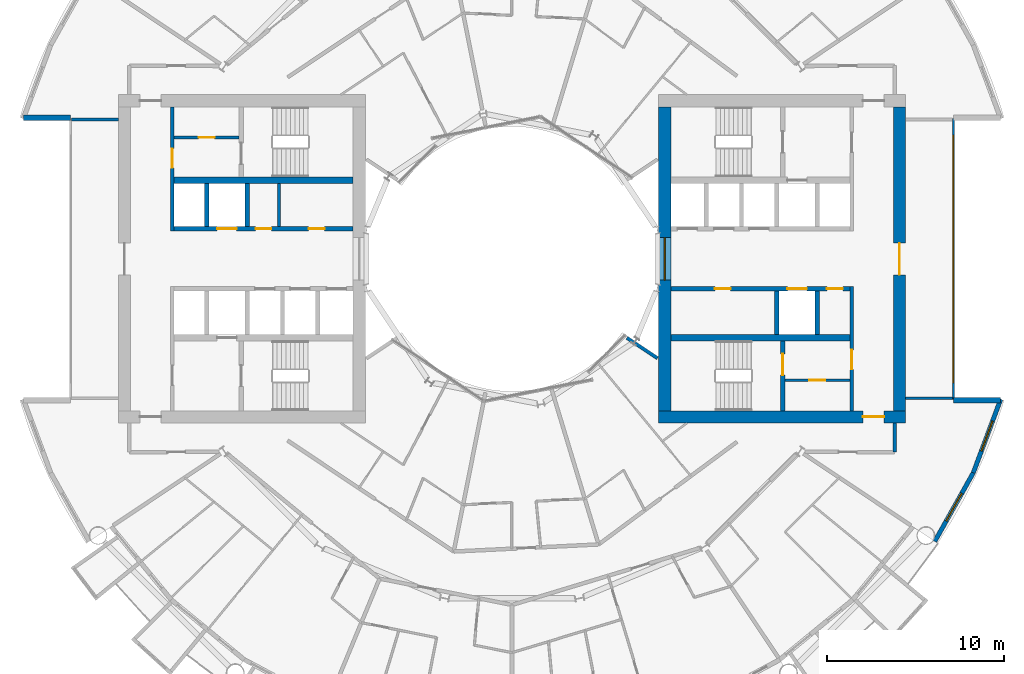
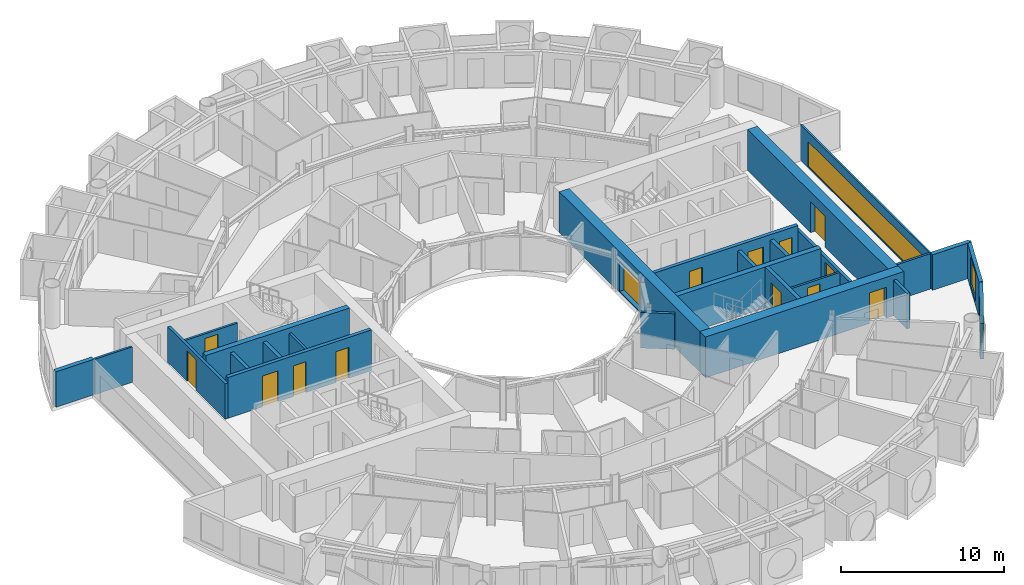
# One storey, part 17 of 25: 26 walls, 13 doors, 4 windows, 17 openings.
"""IFC4 building model written with IfcOpenShell, lengths in metres."""

import ifcopenshell
import ifcopenshell.guid

model = None  # the IFC model being written
_history = None  # IfcOwnerHistory: only IFC2X3 demands one
_inside = {}  # id of a spatial element -> (the spatial element, [elements in it])
_under = {}  # id of a project, library or spatial element -> (it, [spatial elements below it])
_declared = {}  # id of a project -> (the project, [libraries it declares])
_typed = {}  # id of a type object -> (the type object, [elements of that type])
_made_of = {}  # id of a material, layer set ... -> (it, [elements and type objects made of it])


def new_model(schema):
    """Start an empty IFC model of exactly this schema.

    Asked for "IFC4X3", IfcOpenShell would pick the latest addendum, in which some entities
    have other attributes; the version numbers below select the first issue.
    IFC2X3 requires an IfcOwnerHistory on every rooted entity: one is made here for all.
    """
    global model, _history
    if schema == "IFC4X3":
        model = ifcopenshell.file(schema_version=(4, 3, 0, 0))
    else:
        model = ifcopenshell.file(schema=schema)
    _inside.clear()
    _under.clear()
    _declared.clear()
    _typed.clear()
    _made_of.clear()
    _history = None
    if model.schema == "IFC2X3":
        org = make("IfcOrganization", Name="unknown")
        user = make(
            "IfcPersonAndOrganization",
            ThePerson=make("IfcPerson", FamilyName="unknown"),
            TheOrganization=org,
        )
        app = make(
            "IfcApplication",
            ApplicationDeveloper=org,
            Version="unknown",
            ApplicationFullName="unknown",
            ApplicationIdentifier="unknown",
        )
        _history = make(
            "IfcOwnerHistory",
            OwningUser=user,
            OwningApplication=app,
            ChangeAction="ADDED",
            CreationDate=0,
        )
    return model


def make(cls, **values):
    """One entity of the class cls with the attributes given. An attribute that is None is left unset."""
    return model.create_entity(
        cls, **{name: value for name, value in values.items() if value is not None}
    )


def rooted(cls, **values):
    """An entity with a GlobalId (a new one), such as an element, a storey or a relation."""
    return make(cls, GlobalId=ifcopenshell.guid.new(), OwnerHistory=_history, **values)


def si_unit(unit_type, name, prefix=None):
    """IfcSIUnit, for example si_unit("LENGTHUNIT", "METRE", prefix="MILLI")."""
    return make("IfcSIUnit", UnitType=unit_type, Prefix=prefix, Name=name)


def assignment(units):
    """IfcUnitAssignment: the units of a project."""
    return None if units is None else make("IfcUnitAssignment", Units=units)


def point(xyz):
    """IfcCartesianPoint."""
    return None if xyz is None else make("IfcCartesianPoint", Coordinates=xyz)


def direction(xyz):
    """IfcDirection."""
    return None if xyz is None else make("IfcDirection", DirectionRatios=xyz)


def frame(location, z_axis=None, x_axis=None):
    """IfcAxis2Placement3D, a coordinate frame: its origin and axes. An axis left out is left unset."""
    return make(
        "IfcAxis2Placement3D",
        Location=point(location),
        Axis=direction(z_axis),
        RefDirection=direction(x_axis),
    )


def frame_2d(location, x_axis=None):
    """IfcAxis2Placement2D, a coordinate frame in the plane: its origin and x axis."""
    return make(
        "IfcAxis2Placement2D", Location=point(location), RefDirection=direction(x_axis)
    )


def origin():
    """The frame at (0, 0, 0) with its axes left unset."""
    return frame((0.0, 0.0, 0.0))


def place(relative_to, where):
    """IfcLocalPlacement: puts the frame where relative to a parent placement (None: the world)."""
    return make(
        "IfcLocalPlacement", PlacementRelTo=relative_to, RelativePlacement=where
    )


def context(
    kind, dimensions, precision=None, world=None, true_north=None, identifier=None
):
    """IfcGeometricRepresentationContext, for example the 3D "Model" context."""
    return make(
        "IfcGeometricRepresentationContext",
        ContextIdentifier=identifier,
        ContextType=kind,
        CoordinateSpaceDimension=dimensions,
        Precision=precision,
        WorldCoordinateSystem=world,
        TrueNorth=true_north,
    )


def subcontext(parent, identifier, kind, view, scale=None):
    """IfcGeometricRepresentationSubContext, for example "Body" below "Model"."""
    return make(
        "IfcGeometricRepresentationSubContext",
        ContextIdentifier=identifier,
        ContextType=kind,
        ParentContext=parent,
        TargetScale=scale,
        TargetView=view,
    )


def project(units=None, contexts=None):
    """IfcProject with its units and contexts."""
    return rooted(
        "IfcProject",
        Name="project",
        RepresentationContexts=contexts,
        UnitsInContext=assignment(units),
    )


def spatial(cls, under=None, at=None, **own):
    """A site, building, storey or space (cls), placed at a placement, below another one or the project."""
    s = rooted(cls, ObjectPlacement=at, **own)
    if under is not None:
        _under.setdefault(under.id(), (under, []))[1].append(s)
    return s


def profile(cls, at=None, kind="AREA", **sizes):
    """A parametric profile (cls). Its sizes go by their IFC names, for example OverallWidth=200.0."""
    return make(cls, ProfileType=kind, Position=at, **sizes)


def rectangle(**sizes):
    """IfcRectangleProfileDef."""
    return profile("IfcRectangleProfileDef", **sizes)


def extrude(swept, where, along, depth):
    """IfcExtrudedAreaSolid: the profile swept, set in the frame where, extruded along a direction by depth."""
    return make(
        "IfcExtrudedAreaSolid",
        SweptArea=swept,
        Position=where,
        ExtrudedDirection=direction(along),
        Depth=depth,
    )


def shape(context_of_items, identifier, shape_type, items):
    """IfcShapeRepresentation: the items that make up one representation, for example the "Body"."""
    return make(
        "IfcShapeRepresentation",
        ContextOfItems=context_of_items,
        RepresentationIdentifier=identifier,
        RepresentationType=shape_type,
        Items=items,
    )


def material(Name=None, Category=None):
    """IfcMaterial."""
    return make("IfcMaterial", Name=Name, Category=Category)


def layer(
    of_material, thickness, ventilated=None, Name=None, Category=None, Priority=None
):
    """IfcMaterialLayer: one layer of a wall or slab, of a material (None: an air gap)."""
    return make(
        "IfcMaterialLayer",
        Material=of_material,
        LayerThickness=thickness,
        IsVentilated=ventilated,
        Name=Name,
        Category=Category,
        Priority=Priority,
    )


def layer_set(layers, Name=None):
    """IfcMaterialLayerSet."""
    return make("IfcMaterialLayerSet", MaterialLayers=layers, LayerSetName=Name)


def made_of(thing, what):
    """Note that an element or type object is made of a material, layer set ...; save() writes the relation."""
    if what is not None:
        _made_of.setdefault(what.id(), (what, []))[1].append(thing)
    return thing


def type_object(cls, material=None, **own):
    """A type object (cls), such as IfcWallType, which elements share."""
    return made_of(rooted(cls, **own), material)


def element(
    cls,
    number,
    at=None,
    inside=None,
    cuts=None,
    type_object=None,
    material=None,
    context=None,
    identifier="Body",
    shape_type=None,
    held_by="IfcProductDefinitionShape",
    body=None,
    shapes=None,
    **own,
):
    """One element of the class cls, such as IfcWall. Its Tag is "e" and its number.

    at: its placement. inside: the storey or other place that contains it. cuts: it is an
    opening in that element (IfcRelVoidsElement). A single representation is given by context,
    identifier, shape_type and body (its items); several are given by shapes. held_by: the class
    of the entity that holds the representations. save() writes the other relations.
    """
    e = rooted(cls, Tag="e%d" % number, ObjectPlacement=at, **own)
    if body is not None:
        shapes = [shape(context, identifier, shape_type, body)]
    if shapes is not None:
        e.Representation = make(held_by, Representations=shapes)
    if inside is not None:
        _inside.setdefault(inside.id(), (inside, []))[1].append(e)
    if cuts is not None:
        rooted(
            "IfcRelVoidsElement", RelatingBuildingElement=cuts, RelatedOpeningElement=e
        )
    if type_object is not None:
        _typed.setdefault(type_object.id(), (type_object, []))[1].append(e)
    return made_of(e, material)


def fill(opening, filler):
    """IfcRelFillsElement: the door or window that sits in an opening."""
    return rooted(
        "IfcRelFillsElement",
        RelatingOpeningElement=opening,
        RelatedBuildingElement=filler,
    )


def aggregate(whole, parts):
    """IfcRelAggregates: a whole, such as a stair, and the parts it consists of."""
    return rooted("IfcRelAggregates", RelatingObject=whole, RelatedObjects=parts)


def save(model, path):
    """Write the relations noted so far, then the file.

    IfcRelAggregates (storeys below a building ...), IfcRelContainedInSpatialStructure (elements
    in a storey), IfcRelDefinesByType, IfcRelAssociatesMaterial and IfcRelDeclares: one each for
    every whole, place, type object, material and project.
    """
    for whole, parts in _under.values():
        aggregate(whole, parts)
    for where, things in _inside.values():
        rooted(
            "IfcRelContainedInSpatialStructure",
            RelatedElements=things,
            RelatingStructure=where,
        )
    for kind, things in _typed.values():
        rooted("IfcRelDefinesByType", RelatedObjects=things, RelatingType=kind)
    for what, things in _made_of.values():
        rooted("IfcRelAssociatesMaterial", RelatedObjects=things, RelatingMaterial=what)
    for by, libraries in _declared.values():
        rooted("IfcRelDeclares", RelatingContext=by, RelatedDefinitions=libraries)
    model.write(path)


model = new_model("IFC4")

# Units and contexts
model_context = context("Model", 3, precision=1e-05, world=origin(), true_north=direction((0.0, 1.0)))
body_context = subcontext(model_context, "Body", "Model", "MODEL_VIEW")
ifc_project = project(units=[si_unit("LENGTHUNIT", "METRE"), si_unit("AREAUNIT", "SQUARE_METRE"), si_unit("VOLUMEUNIT", "CUBIC_METRE"), si_unit("PLANEANGLEUNIT", "RADIAN"), si_unit("MASSUNIT", "GRAM", prefix="KILO")], contexts=[model_context])

# Site, building, storey
site_placement = place(None, origin())
site = spatial("IfcSite", under=ifc_project, at=site_placement, CompositionType="ELEMENT")
building_placement = place(site_placement, origin())
building = spatial("IfcBuilding", under=site, at=building_placement, Name="Maasbend Ring Residences", CompositionType="ELEMENT")
storey_placement = place(building_placement, frame((0.0, 0.0, 94.10009765625)))
storey = spatial("IfcBuildingStorey", under=building, at=storey_placement, Name="L27", CompositionType="ELEMENT", Elevation=94.10009765625)

# Wall, openings, doors
ifc_material_1 = material(Name="Concrete C70/85", Category="concrete")
ifc_layer_1 = layer(ifc_material_1, 0.25)
ifc_layer_set_1 = layer_set([ifc_layer_1], Name="Concrete C70/85")
wall_type_1 = type_object("IfcWallType", Name="CORE WALL 250 C70/85", PredefinedType="SHEAR", material=ifc_layer_set_1)
wall_1_placement = place(storey_placement, frame((19.14990234375, -1.699951171875, 0.0), z_axis=(0.0, 0.0, 1.0), x_axis=(-1.0, 0.0, 0.0)))
wall_1 = element("IfcWall", 1, at=wall_1_placement, inside=storey, type_object=wall_type_1, Name="L27 core E wall SPS", PredefinedType="SHEAR", context=body_context, shape_type="SweptSolid", body=[
    extrude(rectangle(XDim=10.14990234375, YDim=0.25, at=frame_2d((5.074951171875, 0.0))), origin(), (0.0, 0.0, 1.0), 3.0498046875),
])
opening_1_placement = place(wall_1_placement, frame((2.449951171875, 0.0, 0.0)))
opening_1 = element("IfcOpeningElement", 2, at=opening_1_placement, cuts=wall_1, Name="Opening LD-E2705", PredefinedType="OPENING", context=body_context, shape_type="SweptSolid", body=[
    extrude(rectangle(XDim=1.10009765625, YDim=2.300048828125, at=frame_2d((0.550048828125, 1.14990234375))), frame((0.0, 0.135009765625, 0.0), z_axis=(0.0, -1.0, 0.0), x_axis=(1.0, 0.0, 0.0)), (0.0, 0.0, 1.0), 0.27001953125),
])
opening_2_placement = place(wall_1_placement, frame((6.762451171875, 0.0, 0.0)))
opening_2 = element("IfcOpeningElement", 3, at=opening_2_placement, cuts=wall_1, Name="Opening D-E2706", PredefinedType="OPENING", context=body_context, shape_type="SweptSolid", body=[
    extrude(rectangle(XDim=0.89990234375, YDim=2.300048828125, at=frame_2d((0.449951171875, 1.14990234375))), frame((0.0, 0.135009765625, 0.0), z_axis=(0.0, -1.0, 0.0), x_axis=(1.0, 0.0, 0.0)), (0.0, 0.0, 1.0), 0.27001953125),
])
opening_3_placement = place(wall_1_placement, frame((0.41259765625, 0.0, 0.0)))
opening_3 = element("IfcOpeningElement", 4, at=opening_3_placement, cuts=wall_1, Name="Opening D-E2707", PredefinedType="OPENING", context=body_context, shape_type="SweptSolid", body=[
    extrude(rectangle(XDim=0.89990234375, YDim=2.300048828125, at=frame_2d((0.449951171875, 1.14990234375))), frame((0.0, 0.135009765625, 0.0), z_axis=(0.0, -1.0, 0.0), x_axis=(1.0, 0.0, 0.0)), (0.0, 0.0, 1.0), 0.27001953125),
])
ifc_material_2 = material(Name="Stainless steel 316", Category="steel")
door_type_1 = type_object("IfcDoorType", Name="LANDING DOOR 1100 X 2300 FD60", OperationType="DOUBLE_DOOR_SLIDING", PredefinedType="DOOR", material=ifc_material_2)
door_1_placement = place(opening_1_placement, origin())
door_1 = element("IfcDoor", 5, at=door_1_placement, inside=storey, type_object=door_type_1, Name="Landing door SV-E L27", OperationType="DOUBLE_DOOR_SLIDING", OverallHeight=2.300048828125, OverallWidth=1.10009765625, PredefinedType="DOOR", context=body_context, shape_type="SweptSolid", body=[
    extrude(rectangle(XDim=1.10009765625, YDim=2.300048828125, at=frame_2d((0.550048828125, 1.14990234375))), frame((0.0, 0.02490234375, 0.0), z_axis=(0.0, -1.0, 0.0), x_axis=(1.0, 0.0, 0.0)), (0.0, 0.0, 1.0), 0.050048828125),
])
fill(opening_1, door_1)
ifc_material_3 = material(Name="Steel, powder coated", Category="steel")
door_type_2 = type_object("IfcDoorType", Name="ROOM DOOR 900 X 2300 FD30S", OperationType="NOTDEFINED", PredefinedType="DOOR", material=ifc_material_3)
door_2_placement = place(opening_2_placement, origin())
door_2 = element("IfcDoor", 6, at=door_2_placement, inside=storey, type_object=door_type_2, Name="Room door L27", OperationType="SINGLE_SWING_LEFT", OverallHeight=2.300048828125, OverallWidth=0.89990234375, PredefinedType="DOOR", context=body_context, shape_type="SweptSolid", body=[
    extrude(rectangle(XDim=0.89990234375, YDim=2.300048828125, at=frame_2d((0.449951171875, 1.14990234375))), frame((0.0, 0.02490234375, 0.0), z_axis=(0.0, -1.0, 0.0), x_axis=(1.0, 0.0, 0.0)), (0.0, 0.0, 1.0), 0.050048828125),
])
fill(opening_2, door_2)
door_3_placement = place(opening_3_placement, origin())
door_3 = element("IfcDoor", 7, at=door_3_placement, inside=storey, type_object=door_type_2, Name="Room door L27", OperationType="SINGLE_SWING_RIGHT", OverallHeight=2.300048828125, OverallWidth=0.89990234375, PredefinedType="DOOR", context=body_context, shape_type="SweptSolid", body=[
    extrude(rectangle(XDim=0.89990234375, YDim=2.300048828125, at=frame_2d((0.449951171875, 1.14990234375))), frame((0.0, 0.02490234375, 0.0), z_axis=(0.0, -1.0, 0.0), x_axis=(1.0, 0.0, 0.0)), (0.0, 0.0, 1.0), 0.050048828125),
])
fill(opening_3, door_3)

# Wall, opening, door
wall_2_placement = place(storey_placement, frame((15.324951171875, -8.60009765625, 0.0), z_axis=(0.0, 0.0, 1.0), x_axis=(0.0, 1.0, 0.0)))
wall_2 = element("IfcWall", 8, at=wall_2_placement, inside=storey, type_object=wall_type_1, Name="L27 core E wall STES", PredefinedType="SHEAR", context=body_context, shape_type="SweptSolid", body=[
    extrude(rectangle(XDim=3.9501953125, YDim=0.25, at=frame_2d((1.97509765625, 0.0))), origin(), (0.0, 0.0, 1.0), 3.0498046875),
])
opening_4_placement = place(wall_2_placement, frame((2.02490234375, 0.0, 0.0)))
opening_4 = element("IfcOpeningElement", 9, at=opening_4_placement, cuts=wall_2, Name="Opening D-E2710", PredefinedType="OPENING", context=body_context, shape_type="SweptSolid", body=[
    extrude(rectangle(XDim=1.199951171875, YDim=2.300048828125, at=frame_2d((0.60009765625, 1.14990234375))), frame((0.0, 0.135009765625, 0.0), z_axis=(0.0, -1.0, 0.0), x_axis=(1.0, 0.0, 0.0)), (0.0, 0.0, 1.0), 0.27001953125),
])
ifc_material_4 = material(Name="Steel, powder coated", Category="steel")
door_type_3 = type_object("IfcDoorType", Name="STAIR DOOR 1200 X 2300 FD60", OperationType="NOTDEFINED", PredefinedType="DOOR", material=ifc_material_4)
door_4_placement = place(opening_4_placement, origin())
door_4 = element("IfcDoor", 10, at=door_4_placement, inside=storey, type_object=door_type_3, Name="Stair door ST-E L27", OperationType="SINGLE_SWING_LEFT", OverallHeight=2.300048828125, OverallWidth=1.199951171875, PredefinedType="DOOR", context=body_context, shape_type="SweptSolid", body=[
    extrude(rectangle(XDim=1.199951171875, YDim=2.300048828125, at=frame_2d((0.60009765625, 1.14990234375))), frame((0.0, 0.02490234375, 0.0), z_axis=(0.0, -1.0, 0.0), x_axis=(1.0, 0.0, 0.0)), (0.0, 0.0, 1.0), 0.050048828125),
])
fill(opening_4, door_4)

# Wall, openings, doors
wall_3_placement = place(storey_placement, frame((-19.14990234375, 1.699951171875, 0.0), z_axis=(0.0, 0.0, 1.0), x_axis=(1.0, 0.0, 0.0)))
wall_3 = element("IfcWall", 11, at=wall_3_placement, inside=storey, type_object=wall_type_1, Name="L27 core W wall SPS", PredefinedType="SHEAR", context=body_context, shape_type="SweptSolid", body=[
    extrude(rectangle(XDim=10.14990234375, YDim=0.25, at=frame_2d((5.074951171875, 0.0))), origin(), (0.0, 0.0, 1.0), 3.0498046875),
])
opening_5_placement = place(wall_3_placement, frame((2.449951171875, 0.0, 0.0)))
opening_5 = element("IfcOpeningElement", 12, at=opening_5_placement, cuts=wall_3, Name="Opening LD-W2705", PredefinedType="OPENING", context=body_context, shape_type="SweptSolid", body=[
    extrude(rectangle(XDim=1.10009765625, YDim=2.300048828125, at=frame_2d((0.550048828125, 1.14990234375))), frame((0.0, 0.135009765625, 0.0), z_axis=(0.0, -1.0, 0.0), x_axis=(1.0, 0.0, 0.0)), (0.0, 0.0, 1.0), 0.27001953125),
])
opening_6_placement = place(wall_3_placement, frame((7.637451171875, 0.0, 0.0)))
opening_6 = element("IfcOpeningElement", 13, at=opening_6_placement, cuts=wall_3, Name="Opening D-W2706", PredefinedType="OPENING", context=body_context, shape_type="SweptSolid", body=[
    extrude(rectangle(XDim=0.89990234375, YDim=2.300048828125, at=frame_2d((0.449951171875, 1.14990234375))), frame((0.0, 0.135009765625, 0.0), z_axis=(0.0, -1.0, 0.0), x_axis=(1.0, 0.0, 0.0)), (0.0, 0.0, 1.0), 0.27001953125),
])
opening_7_placement = place(wall_3_placement, frame((4.625, 0.0, 0.0)))
opening_7 = element("IfcOpeningElement", 14, at=opening_7_placement, cuts=wall_3, Name="Opening D-W2707", PredefinedType="OPENING", context=body_context, shape_type="SweptSolid", body=[
    extrude(rectangle(XDim=0.89990234375, YDim=2.300048828125, at=frame_2d((0.449951171875, 1.14990234375))), frame((0.0, 0.135009765625, 0.0), z_axis=(0.0, -1.0, 0.0), x_axis=(1.0, 0.0, 0.0)), (0.0, 0.0, 1.0), 0.27001953125),
])
door_5_placement = place(opening_5_placement, origin())
door_5 = element("IfcDoor", 15, at=door_5_placement, inside=storey, type_object=door_type_1, Name="Landing door SV-W L27", OperationType="DOUBLE_DOOR_SLIDING", OverallHeight=2.300048828125, OverallWidth=1.10009765625, PredefinedType="DOOR", context=body_context, shape_type="SweptSolid", body=[
    extrude(rectangle(XDim=1.10009765625, YDim=2.300048828125, at=frame_2d((0.550048828125, 1.14990234375))), frame((0.0, 0.02490234375, 0.0), z_axis=(0.0, -1.0, 0.0), x_axis=(1.0, 0.0, 0.0)), (0.0, 0.0, 1.0), 0.050048828125),
])
fill(opening_5, door_5)
door_6_placement = place(opening_6_placement, origin())
door_6 = element("IfcDoor", 16, at=door_6_placement, inside=storey, type_object=door_type_2, Name="Room door L27", OperationType="SINGLE_SWING_LEFT", OverallHeight=2.300048828125, OverallWidth=0.89990234375, PredefinedType="DOOR", context=body_context, shape_type="SweptSolid", body=[
    extrude(rectangle(XDim=0.89990234375, YDim=2.300048828125, at=frame_2d((0.449951171875, 1.14990234375))), frame((0.0, 0.02490234375, 0.0), z_axis=(0.0, -1.0, 0.0), x_axis=(1.0, 0.0, 0.0)), (0.0, 0.0, 1.0), 0.050048828125),
])
fill(opening_6, door_6)
door_7_placement = place(opening_7_placement, origin())
door_7 = element("IfcDoor", 17, at=door_7_placement, inside=storey, type_object=door_type_2, Name="Room door L27", OperationType="SINGLE_SWING_LEFT", OverallHeight=2.300048828125, OverallWidth=0.89990234375, PredefinedType="DOOR", context=body_context, shape_type="SweptSolid", body=[
    extrude(rectangle(XDim=0.89990234375, YDim=2.300048828125, at=frame_2d((0.449951171875, 1.14990234375))), frame((0.0, 0.02490234375, 0.0), z_axis=(0.0, -1.0, 0.0), x_axis=(1.0, 0.0, 0.0)), (0.0, 0.0, 1.0), 0.050048828125),
])
fill(opening_7, door_7)

# Walls
ifc_material_5 = material(Name="Concrete C70/85", Category="concrete")
ifc_layer_2 = layer(ifc_material_5, 0.375)
ifc_layer_set_2 = layer_set([ifc_layer_2], Name="Concrete C70/85")
wall_type_2 = type_object("IfcWallType", Name="CORE WALL 375 C70/85", PredefinedType="SHEAR", material=ifc_layer_set_2)
for number, where, z_axis, x_axis, name in (
    (18, (9.0, -4.46240234375, 0.0), (0.0, 0.0, 1.0), (1.0, 0.0, 0.0), "L27 core E wall BS"),
    (19, (-9.0, 4.46240234375, 0.0), (0.0, 0.0, 1.0), (-1.0, 0.0, 0.0), "L27 core W wall BS"),
):
    element("IfcWall", number, at=place(storey_placement, frame(where, z_axis=z_axis, x_axis=x_axis)), inside=storey, type_object=wall_type_2, Name=name, PredefinedType="SHEAR", context=body_context, shape_type="SweptSolid", body=[
        extrude(rectangle(XDim=10.14990234375, YDim=0.375, at=frame_2d((5.074951171875, 0.0))), origin(), (0.0, 0.0, 1.0), 3.0498046875),
    ])

# Wall, opening, door
ifc_material_6 = material(Name="Concrete C70/85", Category="concrete")
ifc_layer_3 = layer(ifc_material_6, 0.699951171875)
ifc_layer_set_3 = layer_set([ifc_layer_3], Name="Concrete C70/85")
wall_type_3 = type_object("IfcWallType", Name="CORE WALL 700 C70/85", PredefinedType="SHEAR", material=ifc_layer_set_3)
wall_4_placement = place(storey_placement, frame((8.300048828125, -8.949951171875, 0.0), z_axis=(0.0, 0.0, 1.0), x_axis=(1.0, 0.0, 0.0)))
wall_4 = element("IfcWall", 20, at=wall_4_placement, inside=storey, type_object=wall_type_3, Name="L27 core E wall PS", PredefinedType="SHEAR", context=body_context, shape_type="SweptSolid", body=[
    extrude(rectangle(XDim=14.0, YDim=0.699951171875, at=frame_2d((7.0, 0.0))), origin(), (0.0, 0.0, 1.0), 3.0498046875),
])
opening_8_placement = place(wall_4_placement, frame((11.574951171875, 0.0, 0.0)))
opening_8 = element("IfcOpeningElement", 21, at=opening_8_placement, cuts=wall_4, Name="Opening D-E2714", PredefinedType="OPENING", context=body_context, shape_type="SweptSolid", body=[
    extrude(rectangle(XDim=1.199951171875, YDim=2.300048828125, at=frame_2d((0.60009765625, 1.14990234375))), frame((0.0, 0.35986328125, 0.0), z_axis=(0.0, -1.0, 0.0), x_axis=(1.0, 0.0, 0.0)), (0.0, 0.0, 1.0), 0.719970703125),
])
ifc_material_7 = material(Name="Steel, powder coated", Category="steel")
door_type_4 = type_object("IfcDoorType", Name="CORRIDOR DOOR 1200 X 2300 FD30S", OperationType="NOTDEFINED", PredefinedType="DOOR", material=ifc_material_7)
door_8_placement = place(opening_8_placement, origin())
door_8 = element("IfcDoor", 22, at=door_8_placement, inside=storey, type_object=door_type_4, Name="Corridor door L27", OperationType="SINGLE_SWING_LEFT", OverallHeight=2.300048828125, OverallWidth=1.199951171875, PredefinedType="DOOR", context=body_context, shape_type="SweptSolid", body=[
    extrude(rectangle(XDim=1.199951171875, YDim=2.300048828125, at=frame_2d((0.60009765625, 1.14990234375))), frame((0.0, 0.02490234375, 0.0), z_axis=(0.0, -1.0, 0.0), x_axis=(1.0, 0.0, 0.0)), (0.0, 0.0, 1.0), 0.050048828125),
])
fill(opening_8, door_8)

wall_5_placement = place(storey_placement, frame((21.949951171875, 8.60009765625, 0.0), z_axis=(0.0, 0.0, 1.0), x_axis=(0.0, -1.0, 0.0)))
wall_5 = element("IfcWall", 23, at=wall_5_placement, inside=storey, type_object=wall_type_3, Name="L27 core E wall POUT", PredefinedType="SHEAR", context=body_context, shape_type="SweptSolid", body=[
    extrude(rectangle(XDim=17.2001953125, YDim=0.699951171875, at=frame_2d((8.60009765625, 0.0))), origin(), (0.0, 0.0, 1.0), 3.0498046875),
])
opening_9_placement = place(wall_5_placement, frame((7.699951171875, 0.0, 0.0)))
opening_9 = element("IfcOpeningElement", 24, at=opening_9_placement, cuts=wall_5, Name="Opening D-E2715", PredefinedType="OPENING", context=body_context, shape_type="SweptSolid", body=[
    extrude(rectangle(XDim=1.800048828125, YDim=2.300048828125, at=frame_2d((0.89990234375, 1.14990234375))), frame((0.0, 0.35986328125, 0.0), z_axis=(0.0, -1.0, 0.0), x_axis=(1.0, 0.0, 0.0)), (0.0, 0.0, 1.0), 0.719970703125),
])
ifc_material_8 = material(Name="Aluminium frame, clear glass", Category="aluminium")
door_type_5 = type_object("IfcDoorType", Name="ENTRANCE DOOR 1800 X 2300 FD60", OperationType="NOTDEFINED", PredefinedType="DOOR", material=ifc_material_8)
door_9_placement = place(opening_9_placement, origin())
door_9 = element("IfcDoor", 25, at=door_9_placement, inside=storey, type_object=door_type_5, Name="Lobby glazed door L27", OperationType="SINGLE_SWING_LEFT", OverallHeight=2.300048828125, OverallWidth=1.800048828125, PredefinedType="DOOR", context=body_context, shape_type="SweptSolid", body=[
    extrude(rectangle(XDim=1.800048828125, YDim=2.300048828125, at=frame_2d((0.89990234375, 1.14990234375))), frame((0.0, 0.02490234375, 0.0), z_axis=(0.0, -1.0, 0.0), x_axis=(1.0, 0.0, 0.0)), (0.0, 0.0, 1.0), 0.050048828125),
])
fill(opening_9, door_9)

# Wall, opening, window
wall_6_placement = place(storey_placement, frame((8.64990234375, -8.60009765625, 0.0), z_axis=(0.0, 0.0, 1.0), x_axis=(0.0, 1.0, 0.0)))
wall_6 = element("IfcWall", 26, at=wall_6_placement, inside=storey, type_object=wall_type_3, Name="L27 core E wall PIN", PredefinedType="SHEAR", context=body_context, shape_type="SweptSolid", body=[
    extrude(rectangle(XDim=17.2001953125, YDim=0.699951171875, at=frame_2d((8.60009765625, 0.0))), origin(), (0.0, 0.0, 1.0), 3.0498046875),
])
opening_10_placement = place(wall_6_placement, frame((7.39990234375, 0.0, 0.10009765625)))
opening_10 = element("IfcOpeningElement", 27, at=opening_10_placement, cuts=wall_6, Name="Opening W-E2701", PredefinedType="OPENING", context=body_context, shape_type="SweptSolid", body=[
    extrude(rectangle(XDim=2.39990234375, YDim=2.199951171875, at=frame_2d((1.199951171875, 1.10009765625))), frame((0.0, 0.35986328125, 0.0), z_axis=(0.0, -1.0, 0.0), x_axis=(1.0, 0.0, 0.0)), (0.0, 0.0, 1.0), 0.719970703125),
])
ifc_material_9 = material(Name="Aluminium frame and clear glass", Category="aluminium")
window_type_1 = type_object("IfcWindowType", Name="FIXED WINDOW 2400 X 2200", PartitioningType="SINGLE_PANEL", PredefinedType="WINDOW", material=ifc_material_9)
window_1_placement = place(opening_10_placement, origin())
window_1 = element("IfcWindow", 28, at=window_1_placement, inside=storey, type_object=window_type_1, Name="Lobby window L27", OverallHeight=2.199951171875, OverallWidth=2.39990234375, PartitioningType="SINGLE_PANEL", PredefinedType="WINDOW", context=body_context, shape_type="SweptSolid", body=[
    extrude(rectangle(XDim=2.39990234375, YDim=2.199951171875, at=frame_2d((1.199951171875, 1.10009765625))), frame((0.0, 0.030029296875, 0.0), z_axis=(0.0, -1.0, 0.0), x_axis=(1.0, 0.0, 0.0)), (0.0, 0.0, 1.0), 0.06005859375),
])
fill(opening_10, window_1)

# Wall
ifc_material_10 = material(Name="Concrete C30/37", Category="concrete")
ifc_layer_4 = layer(ifc_material_10, 0.199951171875)
ifc_layer_set_4 = layer_set([ifc_layer_4], Name="Concrete C30/37")
wall_type_4 = type_object("IfcWallType", Name="CORRIDOR WALL 200 CONCRETE", PredefinedType="PARTITIONING", material=ifc_layer_set_4)
wall_7_placement = place(storey_placement, frame((21.675048828125, -10.949951171875, 0.0), z_axis=(0.0, 0.0, 1.0), x_axis=(0.0, 1.0, 0.0)))
element("IfcWall", 29, at=wall_7_placement, inside=storey, type_object=wall_type_4, Name="U-L27-w005", PredefinedType="PARTITIONING", context=body_context, shape_type="SweptSolid", body=[
    extrude(rectangle(XDim=1.64990234375, YDim=0.199951171875, at=frame_2d((0.824951171875, 0.0))), origin(), (0.0, 0.0, 1.0), 2.64990234375),
])

# Wall, opening, window
ifc_material_11 = material(Name="Aluminium clad insulated panel", Category="aluminium")
ifc_layer_5 = layer(ifc_material_11, 0.25)
ifc_layer_set_5 = layer_set([ifc_layer_5], Name="EW-HORN")
wall_type_5 = type_object("IfcWallType", Name="EW-HORN", PredefinedType="SOLIDWALL", material=ifc_layer_set_5)
wall_8_placement = place(storey_placement, frame((23.946044921875, -16.0, 0.0), z_axis=(0.0, 0.0, 1.0), x_axis=(0.489696356642, 0.871893042919, 0.0)))
wall_8 = element("IfcWall", 30, at=wall_8_placement, inside=storey, type_object=wall_type_5, Name="Horn wall 2.1", PredefinedType="SOLIDWALL", context=body_context, shape_type="SweptSolid", body=[
    extrude(rectangle(XDim=4.45361328125, YDim=0.25, at=frame_2d((2.226806640625, 0.0))), origin(), (0.0, 0.0, 1.0), 2.64990234375),
])
opening_11_placement = place(wall_8_placement, frame((1.32666015625, 0.0, 0.300048828125)))
opening_11 = element("IfcOpeningElement", 31, at=opening_11_placement, cuts=wall_8, Name="Opening W-BX", PredefinedType="OPENING", context=body_context, shape_type="SweptSolid", body=[
    extrude(rectangle(XDim=1.800048828125, YDim=2.10009765625, at=frame_2d((0.89990234375, 1.050048828125))), frame((0.0, 0.135009765625, 0.0), z_axis=(0.0, -1.0, 0.0), x_axis=(1.0, 0.0, 0.0)), (0.0, 0.0, 1.0), 0.27001953125),
])
ifc_material_12 = material(Name="Aluminium and clear glass", Category="aluminium")
window_type_2 = type_object("IfcWindowType", Name="W-BX", PartitioningType="DOUBLE_PANEL_VERTICAL", PredefinedType="WINDOW", material=ifc_material_12)
window_2_placement = place(opening_11_placement, origin())
window_2 = element("IfcWindow", 32, at=window_2_placement, inside=storey, type_object=window_type_2, Name="Horn window 2.1", OverallHeight=2.10009765625, OverallWidth=1.800048828125, PartitioningType="SINGLE_PANEL", PredefinedType="WINDOW", context=body_context, shape_type="SweptSolid", body=[
    extrude(rectangle(XDim=1.800048828125, YDim=2.10009765625, at=frame_2d((0.89990234375, 1.050048828125))), frame((0.0, 0.030029296875, 0.0), z_axis=(0.0, -1.0, 0.0), x_axis=(1.0, 0.0, 0.0)), (0.0, 0.0, 1.0), 0.06005859375),
])
fill(opening_11, window_2)

wall_9_placement = place(storey_placement, frame((26.126953125, -12.116943359375, 0.0), z_axis=(0.0, 0.0, 1.0), x_axis=(0.349247811493, 0.937030397675, 0.0)))
wall_9 = element("IfcWall", 33, at=wall_9_placement, inside=storey, type_object=wall_type_5, Name="Horn wall 2.2", PredefinedType="SOLIDWALL", context=body_context, shape_type="SweptSolid", body=[
    extrude(rectangle(XDim=4.4521484375, YDim=0.25, at=frame_2d((2.22607421875, 0.0))), origin(), (0.0, 0.0, 1.0), 2.64990234375),
])
opening_12_placement = place(wall_9_placement, frame((1.32666015625, 0.0, 0.300048828125)))
opening_12 = element("IfcOpeningElement", 34, at=opening_12_placement, cuts=wall_9, Name="Opening W-BX", PredefinedType="OPENING", context=body_context, shape_type="SweptSolid", body=[
    extrude(rectangle(XDim=1.800048828125, YDim=2.10009765625, at=frame_2d((0.89990234375, 1.050048828125))), frame((0.0, 0.135009765625, 0.0), z_axis=(0.0, -1.0, 0.0), x_axis=(1.0, 0.0, 0.0)), (0.0, 0.0, 1.0), 0.27001953125),
])
window_3_placement = place(opening_12_placement, origin())
window_3 = element("IfcWindow", 35, at=window_3_placement, inside=storey, type_object=window_type_2, Name="Horn window 2.2", OverallHeight=2.10009765625, OverallWidth=1.800048828125, PartitioningType="SINGLE_PANEL", PredefinedType="WINDOW", context=body_context, shape_type="SweptSolid", body=[
    extrude(rectangle(XDim=1.800048828125, YDim=2.10009765625, at=frame_2d((0.89990234375, 1.050048828125))), frame((0.0, 0.030029296875, 0.0), z_axis=(0.0, -1.0, 0.0), x_axis=(1.0, 0.0, 0.0)), (0.0, 0.0, 1.0), 0.06005859375),
])
fill(opening_12, window_3)

# Walls
ifc_material_13 = material(Name="Aluminium clad insulated panel", Category="aluminium")
ifc_layer_6 = layer(ifc_material_13, 0.300048828125)
ifc_layer_set_6 = layer_set([ifc_layer_6], Name="EW-RET")
wall_type_6 = type_object("IfcWallType", Name="EW-RET", PredefinedType="SOLIDWALL", material=ifc_layer_set_6)
for number, where, z_axis, x_axis, name in (
    (36, (25.0, -8.0, 0.0), (0.0, 0.0, 1.0), (1.0, 0.0, 0.0), "Notch return wall east south"),
    (37, (-25.0, 8.0, 0.0), (0.0, 0.0, 1.0), (-1.0, 0.0, 0.0), "Notch return wall west north"),
):
    element("IfcWall", number, at=place(storey_placement, frame(where, z_axis=z_axis, x_axis=x_axis)), inside=storey, type_object=wall_type_6, Name=name, PredefinedType="SOLIDWALL", context=body_context, shape_type="SweptSolid", body=[
        extrude(rectangle(XDim=2.6669921875, YDim=0.300048828125, at=frame_2d((1.33349609375, 0.0))), origin(), (0.0, 0.0, 1.0), 2.64990234375),
    ])

# Wall, opening, window
ifc_material_14 = material(Name="Aluminium frame and clear glass", Category="aluminium")
ifc_layer_7 = layer(ifc_material_14, 0.1201171875)
ifc_layer_set_7 = layer_set([ifc_layer_7], Name="GLAZED SCREEN WALL 120 EI 60")
wall_type_7 = type_object("IfcWallType", Name="GLAZED SCREEN WALL 120 EI 60", PredefinedType="PARTITIONING", material=ifc_layer_set_7)
wall_10_placement = place(storey_placement, frame((25.0, -7.949951171875, 0.0), z_axis=(0.0, 0.0, 1.0), x_axis=(0.0, 1.0, 0.0)))
wall_10 = element("IfcWall", 38, at=wall_10_placement, inside=storey, type_object=wall_type_7, Name="L27 core E wall FACE", PredefinedType="PARTITIONING", context=body_context, shape_type="SweptSolid", body=[
    extrude(rectangle(XDim=15.89990234375, YDim=0.1201171875, at=frame_2d((7.949951171875, 0.0))), origin(), (0.0, 0.0, 1.0), 2.64990234375),
])
opening_13_placement = place(wall_10_placement, frame((0.949951171875, 0.0, 0.10009765625)))
opening_13 = element("IfcOpeningElement", 39, at=opening_13_placement, cuts=wall_10, Name="Opening W-E2702", PredefinedType="OPENING", context=body_context, shape_type="SweptSolid", body=[
    extrude(rectangle(XDim=14.0, YDim=1.85009765625, at=frame_2d((7.0, 0.925048828125))), frame((0.0, 0.070068359375, 0.0), z_axis=(0.0, -1.0, 0.0), x_axis=(1.0, 0.0, 0.0)), (0.0, 0.0, 1.0), 0.14013671875),
])
ifc_material_15 = material(Name="Aluminium frame and clear glass", Category="aluminium")
window_type_3 = type_object("IfcWindowType", Name="FIXED WINDOW 14000 X 1850", PartitioningType="SINGLE_PANEL", PredefinedType="WINDOW", material=ifc_material_15)
window_4_placement = place(opening_13_placement, origin())
window_4 = element("IfcWindow", 40, at=window_4_placement, inside=storey, type_object=window_type_3, Name="Lobby window L27", OverallHeight=1.85009765625, OverallWidth=14.0, PartitioningType="SINGLE_PANEL", PredefinedType="WINDOW", context=body_context, shape_type="SweptSolid", body=[
    extrude(rectangle(XDim=14.0, YDim=1.85009765625, at=frame_2d((7.0, 0.925048828125))), frame((0.0, 0.030029296875, 0.0), z_axis=(0.0, -1.0, 0.0), x_axis=(1.0, 0.0, 0.0)), (0.0, 0.0, 1.0), 0.06005859375),
])
fill(opening_13, window_4)

# Wall, opening, door
ifc_material_16 = material(Name="Gypsum board on steel studs", Category="steel")
ifc_layer_8 = layer(ifc_material_16, 0.14990234375)
ifc_layer_set_8 = layer_set([ifc_layer_8], Name="PARTITION 150 EI 60")
wall_type_8 = type_object("IfcWallType", Name="PARTITION 150 EI 60", PredefinedType="PARTITIONING", material=ifc_layer_set_8)
wall_11_placement = place(storey_placement, frame((15.449951171875, -6.875, 0.0), z_axis=(0.0, 0.0, 1.0), x_axis=(1.0, 0.0, 0.0)))
wall_11 = element("IfcWall", 41, at=wall_11_placement, inside=storey, type_object=wall_type_8, Name="L27 core E wall RHS", PredefinedType="PARTITIONING", context=body_context, shape_type="SweptSolid", body=[
    extrude(rectangle(XDim=3.699951171875, YDim=0.14990234375, at=frame_2d((1.85009765625, 0.0))), origin(), (0.0, 0.0, 1.0), 2.64990234375),
])
opening_14_placement = place(wall_11_placement, frame((1.39990234375, 0.0, 0.0)))
opening_14 = element("IfcOpeningElement", 42, at=opening_14_placement, cuts=wall_11, Name="Opening D-E2708", PredefinedType="OPENING", context=body_context, shape_type="SweptSolid", body=[
    extrude(rectangle(XDim=0.89990234375, YDim=2.300048828125, at=frame_2d((0.449951171875, 1.14990234375))), frame((0.0, 0.0849609375, 0.0), z_axis=(0.0, -1.0, 0.0), x_axis=(1.0, 0.0, 0.0)), (0.0, 0.0, 1.0), 0.169921875),
])
ifc_material_17 = material(Name="Steel, powder coated", Category="steel")
door_type_6 = type_object("IfcDoorType", Name="RISER DOOR 900 X 2300 FD60", OperationType="NOTDEFINED", PredefinedType="DOOR", material=ifc_material_17)
door_10_placement = place(opening_14_placement, origin())
door_10 = element("IfcDoor", 43, at=door_10_placement, inside=storey, type_object=door_type_6, Name="Riser door L27", OperationType="SINGLE_SWING_LEFT", OverallHeight=2.300048828125, OverallWidth=0.89990234375, PredefinedType="DOOR", context=body_context, shape_type="SweptSolid", body=[
    extrude(rectangle(XDim=0.89990234375, YDim=2.300048828125, at=frame_2d((0.449951171875, 1.14990234375))), frame((0.0, 0.02490234375, 0.0), z_axis=(0.0, -1.0, 0.0), x_axis=(1.0, 0.0, 0.0)), (0.0, 0.0, 1.0), 0.050048828125),
])
fill(opening_14, door_10)

# Walls
wall_12_placement = place(storey_placement, frame((22.300048828125, -7.89990234375, 0.0), z_axis=(0.0, 0.0, 1.0), x_axis=(1.0, 0.0, 0.0)))
element("IfcWall", 44, at=wall_12_placement, inside=storey, type_object=wall_type_8, Name="L27 core E wall CITS", PredefinedType="PARTITIONING", context=body_context, shape_type="SweptSolid", body=[
    extrude(rectangle(XDim=2.639892578125, YDim=0.14990234375, at=frame_2d((1.31982421875, 0.0))), origin(), (0.0, 0.0, 1.0), 2.64990234375),
])
wall_13_placement = place(storey_placement, frame((-13.199951171875, 1.824951171875, 0.0), z_axis=(0.0, 0.0, 1.0), x_axis=(0.0, 1.0, 0.0)))
element("IfcWall", 45, at=wall_13_placement, inside=storey, type_object=wall_type_8, Name="L27 core W wall PRS1320", PredefinedType="PARTITIONING", context=body_context, shape_type="SweptSolid", body=[
    extrude(rectangle(XDim=2.449951171875, YDim=0.14990234375, at=frame_2d((1.22509765625, 0.0))), origin(), (0.0, 0.0, 1.0), 2.64990234375),
])

# Wall, opening, door
wall_14_placement = place(storey_placement, frame((-15.449951171875, 6.875, 0.0), z_axis=(0.0, 0.0, 1.0), x_axis=(-1.0, 0.0, 0.0)))
wall_14 = element("IfcWall", 46, at=wall_14_placement, inside=storey, type_object=wall_type_8, Name="L27 core W wall RHS", PredefinedType="PARTITIONING", context=body_context, shape_type="SweptSolid", body=[
    extrude(rectangle(XDim=3.699951171875, YDim=0.14990234375, at=frame_2d((1.85009765625, 0.0))), origin(), (0.0, 0.0, 1.0), 2.64990234375),
])
opening_15_placement = place(wall_14_placement, frame((1.39990234375, 0.0, 0.0)))
opening_15 = element("IfcOpeningElement", 47, at=opening_15_placement, cuts=wall_14, Name="Opening D-W2708", PredefinedType="OPENING", context=body_context, shape_type="SweptSolid", body=[
    extrude(rectangle(XDim=0.89990234375, YDim=2.300048828125, at=frame_2d((0.449951171875, 1.14990234375))), frame((0.0, 0.0849609375, 0.0), z_axis=(0.0, -1.0, 0.0), x_axis=(1.0, 0.0, 0.0)), (0.0, 0.0, 1.0), 0.169921875),
])
door_11_placement = place(opening_15_placement, origin())
door_11 = element("IfcDoor", 48, at=door_11_placement, inside=storey, type_object=door_type_6, Name="Riser door L27", OperationType="SINGLE_SWING_LEFT", OverallHeight=2.300048828125, OverallWidth=0.89990234375, PredefinedType="DOOR", context=body_context, shape_type="SweptSolid", body=[
    extrude(rectangle(XDim=0.89990234375, YDim=2.300048828125, at=frame_2d((0.449951171875, 1.14990234375))), frame((0.0, 0.02490234375, 0.0), z_axis=(0.0, -1.0, 0.0), x_axis=(1.0, 0.0, 0.0)), (0.0, 0.0, 1.0), 0.050048828125),
])
fill(opening_15, door_11)

# Walls
wall_15_placement = place(storey_placement, frame((-22.300048828125, 7.89990234375, 0.0), z_axis=(0.0, 0.0, 1.0), x_axis=(-1.0, 0.0, 0.0)))
element("IfcWall", 49, at=wall_15_placement, inside=storey, type_object=wall_type_8, Name="L27 core W wall CITS", PredefinedType="PARTITIONING", context=body_context, shape_type="SweptSolid", body=[
    extrude(rectangle(XDim=2.639892578125, YDim=0.14990234375, at=frame_2d((1.31982421875, 0.0))), origin(), (0.0, 0.0, 1.0), 2.64990234375),
])
ifc_material_18 = material(Name="Concrete C30/37", Category="concrete")
ifc_layer_9 = layer(ifc_material_18, 0.199951171875)
ifc_layer_set_9 = layer_set([ifc_layer_9], Name="Concrete C30/37")
wall_type_9 = type_object("IfcWallType", Name="PARTY WALL 200 CONCRETE", PredefinedType="PARTITIONING", material=ifc_layer_set_9)
wall_16_placement = place(storey_placement, frame((6.512939453125, -4.471923828125, 0.0), z_axis=(0.0, 0.0, 1.0), x_axis=(0.831382204863, -0.555701025225, 0.0)))
element("IfcWall", 50, at=wall_16_placement, inside=storey, type_object=wall_type_9, Name="U-L27-w027", PredefinedType="PARTITIONING", context=body_context, shape_type="SweptSolid", body=[
    extrude(rectangle(XDim=2.08203125, YDim=0.199951171875, at=frame_2d((1.041015625, 0.0))), origin(), (0.0, 0.0, 1.0), 2.64990234375),
])

# Wall, opening, door
ifc_material_19 = material(Name="Concrete C30/37", Category="concrete")
ifc_layer_10 = layer(ifc_material_19, 0.199951171875)
ifc_layer_set_10 = layer_set([ifc_layer_10], Name="Concrete C30/37")
wall_type_10 = type_object("IfcWallType", Name="SHAFT WALL 200 EI 120", PredefinedType="SOLIDWALL", material=ifc_layer_set_10)
wall_17_placement = place(storey_placement, frame((19.25, -8.60009765625, 0.0), z_axis=(0.0, 0.0, 1.0), x_axis=(0.0, 1.0, 0.0)))
wall_17 = element("IfcWall", 51, at=wall_17_placement, inside=storey, type_object=wall_type_10, Name="L27 core E wall ENDS", PredefinedType="SOLIDWALL", context=body_context, shape_type="SweptSolid", body=[
    extrude(rectangle(XDim=7.025146484375, YDim=0.199951171875, at=frame_2d((3.5126953125, 0.0))), origin(), (0.0, 0.0, 1.0), 2.64990234375),
])
opening_16_placement = place(wall_17_placement, frame((2.35009765625, 0.0, 0.0)))
opening_16 = element("IfcOpeningElement", 52, at=opening_16_placement, cuts=wall_17, Name="Opening D-E2712", PredefinedType="OPENING", context=body_context, shape_type="SweptSolid", body=[
    extrude(rectangle(XDim=1.10009765625, YDim=2.300048828125, at=frame_2d((0.550048828125, 1.14990234375))), frame((0.0, 0.10986328125, 0.0), z_axis=(0.0, -1.0, 0.0), x_axis=(1.0, 0.0, 0.0)), (0.0, 0.0, 1.0), 0.219970703125),
])
ifc_material_20 = material(Name="Steel, powder coated", Category="steel")
door_type_7 = type_object("IfcDoorType", Name="LOBBY DOOR 1100 X 2300 FD60", OperationType="NOTDEFINED", PredefinedType="DOOR", material=ifc_material_20)
door_12_placement = place(opening_16_placement, origin())
door_12 = element("IfcDoor", 53, at=door_12_placement, inside=storey, type_object=door_type_7, Name="Lobby door L27", OperationType="SINGLE_SWING_RIGHT", OverallHeight=2.300048828125, OverallWidth=1.10009765625, PredefinedType="DOOR", context=body_context, shape_type="SweptSolid", body=[
    extrude(rectangle(XDim=1.10009765625, YDim=2.300048828125, at=frame_2d((0.550048828125, 1.14990234375))), frame((0.0, 0.02490234375, 0.0), z_axis=(0.0, -1.0, 0.0), x_axis=(1.0, 0.0, 0.0)), (0.0, 0.0, 1.0), 0.050048828125),
])
fill(opening_16, door_12)

wall_18_placement = place(storey_placement, frame((-19.25, 8.60009765625, 0.0), z_axis=(0.0, 0.0, 1.0), x_axis=(0.0, -1.0, 0.0)))
wall_18 = element("IfcWall", 54, at=wall_18_placement, inside=storey, type_object=wall_type_10, Name="L27 core W wall ENDS", PredefinedType="SOLIDWALL", context=body_context, shape_type="SweptSolid", body=[
    extrude(rectangle(XDim=7.025146484375, YDim=0.199951171875, at=frame_2d((3.5126953125, 0.0))), origin(), (0.0, 0.0, 1.0), 2.64990234375),
])
opening_17_placement = place(wall_18_placement, frame((2.35009765625, 0.0, 0.0)))
opening_17 = element("IfcOpeningElement", 55, at=opening_17_placement, cuts=wall_18, Name="Opening D-W2712", PredefinedType="OPENING", context=body_context, shape_type="SweptSolid", body=[
    extrude(rectangle(XDim=1.10009765625, YDim=2.300048828125, at=frame_2d((0.550048828125, 1.14990234375))), frame((0.0, 0.10986328125, 0.0), z_axis=(0.0, -1.0, 0.0), x_axis=(1.0, 0.0, 0.0)), (0.0, 0.0, 1.0), 0.219970703125),
])
door_13_placement = place(opening_17_placement, origin())
door_13 = element("IfcDoor", 56, at=door_13_placement, inside=storey, type_object=door_type_7, Name="Lobby door L27", OperationType="SINGLE_SWING_RIGHT", OverallHeight=2.300048828125, OverallWidth=1.10009765625, PredefinedType="DOOR", context=body_context, shape_type="SweptSolid", body=[
    extrude(rectangle(XDim=1.10009765625, YDim=2.300048828125, at=frame_2d((0.550048828125, 1.14990234375))), frame((0.0, 0.02490234375, 0.0), z_axis=(0.0, -1.0, 0.0), x_axis=(1.0, 0.0, 0.0)), (0.0, 0.0, 1.0), 0.050048828125),
])
fill(opening_17, door_13)

# Walls
ifc_material_21 = material(Name="Concrete C30/37", Category="concrete")
ifc_layer_11 = layer(ifc_material_21, 0.25)
ifc_layer_set_11 = layer_set([ifc_layer_11], Name="Concrete C30/37")
wall_type_11 = type_object("IfcWallType", Name="SHAFT WALL 250 EI 120", PredefinedType="SOLIDWALL", material=ifc_layer_set_11)
for number, where, z_axis, x_axis, name in (
    (57, (15.0, -1.824951171875, 0.0), (0.0, 0.0, 1.0), (0.0, -1.0, 0.0), "L27 core E wall D150S"),
    (58, (17.300048828125, -1.824951171875, 0.0), (0.0, 0.0, 1.0), (0.0, -1.0, 0.0), "L27 core E wall D173S"),
    (59, (-15.0, 1.824951171875, 0.0), (0.0, 0.0, 1.0), (0.0, 1.0, 0.0), "L27 core W wall D150S"),
    (60, (-17.300048828125, 1.824951171875, 0.0), (0.0, 0.0, 1.0), (0.0, 1.0, 0.0), "L27 core W wall D173S"),
):
    element("IfcWall", number, at=place(storey_placement, frame(where, z_axis=z_axis, x_axis=x_axis)), inside=storey, type_object=wall_type_11, Name=name, PredefinedType="SOLIDWALL", context=body_context, shape_type="SweptSolid", body=[
        extrude(rectangle(XDim=2.449951171875, YDim=0.25, at=frame_2d((1.22509765625, 0.0))), origin(), (0.0, 0.0, 1.0), 2.64990234375),
    ])

save(model, "model.ifc")
